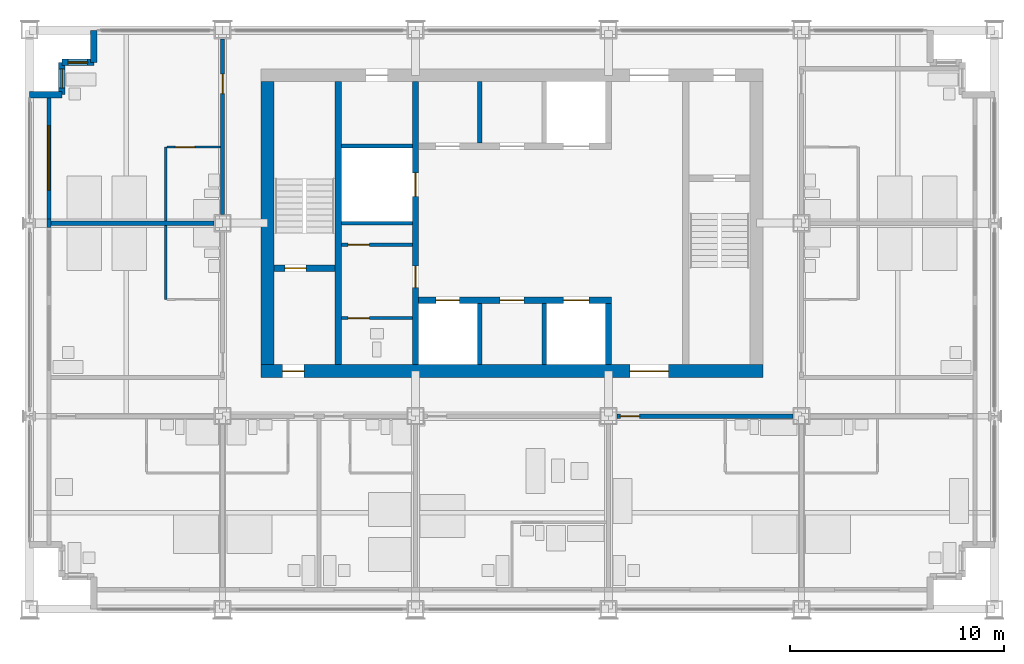
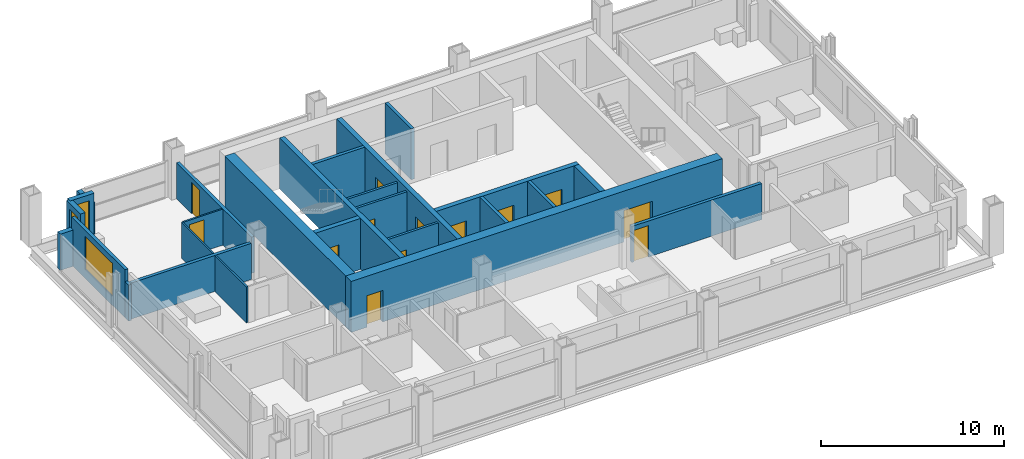
# One storey, part 8 of 13: 26 walls, 13 doors, 3 windows, 16 openings.
"""IFC4 building model written with IfcOpenShell, lengths in metres."""

from ifc_helpers import new_model, si_unit, direction, frame, frame_2d, origin, place, context, subcontext, project, spatial, rectangle, extrude, material, layer, layer_set, type_object, element, fill, save


model = new_model("IFC4")

# Units and contexts
model_context = context("Model", 3, precision=1e-05, world=origin(), true_north=direction((0.0, 1.0)))
body_context = subcontext(model_context, "Body", "Model", "MODEL_VIEW")
ifc_project = project(units=[si_unit("LENGTHUNIT", "METRE"), si_unit("AREAUNIT", "SQUARE_METRE"), si_unit("VOLUMEUNIT", "CUBIC_METRE"), si_unit("PLANEANGLEUNIT", "RADIAN"), si_unit("MASSUNIT", "GRAM", prefix="KILO")], contexts=[model_context])

# Site, building, storey
site_placement = place(None, origin())
site = spatial("IfcSite", under=ifc_project, at=site_placement, CompositionType="ELEMENT")
building_placement = place(site_placement, origin())
building = spatial("IfcBuilding", under=site, at=building_placement, Name="Loomwork Tower", CompositionType="ELEMENT")
storey_placement = place(building_placement, frame((0.0, 0.0, 191.0)))
storey = spatial("IfcBuildingStorey", under=building, at=storey_placement, Name="L52", CompositionType="ELEMENT", Elevation=191.0)

# Wall
ifc_material_1 = material(Name="Concrete 14000 psi (97 MPa)", Category="concrete")
ifc_layer_1 = layer(ifc_material_1, 0.300048828125)
ifc_layer_set_1 = layer_set([ifc_layer_1], Name="Core shear wall 300")
wall_type_1 = type_object("IfcWallType", Name="Core shear wall 300", PredefinedType="SHEAR", material=ifc_layer_set_1)
wall_1_placement = place(storey_placement, frame((14.39990234375, 11.39990234375, 0.0), z_axis=(0.0, 0.0, 1.0), x_axis=(0.0, 1.0, 0.0)))
element("IfcWall", 1, at=wall_1_placement, inside=storey, type_object=wall_type_1, Name="Stair A east wall L52", PredefinedType="SHEAR", context=body_context, shape_type="SweptSolid", body=[
    extrude(rectangle(XDim=13.2001953125, YDim=0.300048828125, at=frame_2d((6.60009765625, 0.0))), origin(), (0.0, 0.0, 1.0), 3.39990234375),
])

# Wall, opening, door
wall_2_placement = place(storey_placement, frame((11.39990234375, 15.89990234375, 0.0), z_axis=(0.0, 0.0, 1.0), x_axis=(1.0, 0.0, 0.0)))
wall_2 = element("IfcWall", 2, at=wall_2_placement, inside=storey, type_object=wall_type_1, Name="Stair A south wall L52", PredefinedType="SHEAR", context=body_context, shape_type="SweptSolid", body=[
    extrude(rectangle(XDim=2.85009765625, YDim=0.300048828125, at=frame_2d((1.425048828125, 0.0))), origin(), (0.0, 0.0, 1.0), 3.39990234375),
])
opening_1_placement = place(wall_2_placement, frame((0.5, 0.0, 0.0)))
opening_1 = element("IfcOpeningElement", 3, at=opening_1_placement, cuts=wall_2, Name="Opening D4", PredefinedType="OPENING", context=body_context, shape_type="SweptSolid", body=[
    extrude(rectangle(XDim=1.0, YDim=2.10009765625, at=frame_2d((0.5, 1.050048828125))), frame((0.0, 0.159912109375, 0.0), z_axis=(0.0, -1.0, 0.0), x_axis=(1.0, 0.0, 0.0)), (0.0, 0.0, 1.0), 0.320068359375),
])
ifc_material_2 = material(Name="Hollow metal door and frame")
door_type_1 = type_object("IfcDoorType", Name="Stair door 1000", OperationType="SINGLE_SWING_RIGHT", PredefinedType="DOOR", material=ifc_material_2)
door_1_placement = place(opening_1_placement, origin())
door_1 = element("IfcDoor", 4, at=door_1_placement, inside=storey, type_object=door_type_1, Name="Stair A door", OperationType="SINGLE_SWING_LEFT", OverallHeight=2.10009765625, OverallWidth=1.0, PredefinedType="DOOR", context=body_context, shape_type="SweptSolid", body=[
    extrude(rectangle(XDim=1.0, YDim=2.10009765625, at=frame_2d((0.5, 1.050048828125))), frame((0.0, 0.02490234375, 0.0), z_axis=(0.0, -1.0, 0.0), x_axis=(1.0, 0.0, 0.0)), (0.0, 0.0, 1.0), 0.050048828125),
])
fill(opening_1, door_1)

# Wall, openings, doors
wall_3_placement = place(storey_placement, frame((18.0, 11.39990234375, 0.0), z_axis=(0.0, 0.0, 1.0), x_axis=(0.0, 1.0, 0.0)))
wall_3 = element("IfcWall", 5, at=wall_3_placement, inside=storey, type_object=wall_type_1, Name="Lobby west wall L52", PredefinedType="SHEAR", context=body_context, shape_type="SweptSolid", body=[
    extrude(rectangle(XDim=13.2001953125, YDim=0.300048828125, at=frame_2d((6.60009765625, 0.0))), origin(), (0.0, 0.0, 1.0), 3.39990234375),
])
opening_2_placement = place(wall_3_placement, frame((3.60009765625, 0.0, 0.0)))
opening_2 = element("IfcOpeningElement", 6, at=opening_2_placement, cuts=wall_3, Name="Opening D5", PredefinedType="OPENING", context=body_context, shape_type="SweptSolid", body=[
    extrude(rectangle(XDim=1.0, YDim=2.10009765625, at=frame_2d((0.5, 1.050048828125))), frame((0.0, 0.159912109375, 0.0), z_axis=(0.0, -1.0, 0.0), x_axis=(1.0, 0.0, 0.0)), (0.0, 0.0, 1.0), 0.320068359375),
])
opening_3_placement = place(wall_3_placement, frame((7.85009765625, 0.0, 0.0)))
opening_3 = element("IfcOpeningElement", 7, at=opening_3_placement, cuts=wall_3, Name="Opening LD1", PredefinedType="OPENING", context=body_context, shape_type="SweptSolid", body=[
    extrude(rectangle(XDim=1.10009765625, YDim=2.10009765625, at=frame_2d((0.550048828125, 1.050048828125))), frame((0.0, 0.159912109375, 0.0), z_axis=(0.0, -1.0, 0.0), x_axis=(1.0, 0.0, 0.0)), (0.0, 0.0, 1.0), 0.320068359375),
])
ifc_material_3 = material(Name="Hollow metal door and frame")
door_type_2 = type_object("IfcDoorType", Name="Lift landing door 1100", OperationType="SLIDING_TO_LEFT", PredefinedType="DOOR", material=ifc_material_3)
door_2_placement = place(opening_3_placement, origin())
door_2 = element("IfcDoor", 8, at=door_2_placement, inside=storey, type_object=door_type_2, Name="Lift landing door LC2", OperationType="SLIDING_TO_LEFT", OverallHeight=2.10009765625, OverallWidth=1.10009765625, PredefinedType="DOOR", context=body_context, shape_type="SweptSolid", body=[
    extrude(rectangle(XDim=1.10009765625, YDim=2.10009765625, at=frame_2d((0.550048828125, 1.050048828125))), frame((0.0, 0.02490234375, 0.0), z_axis=(0.0, -1.0, 0.0), x_axis=(1.0, 0.0, 0.0)), (0.0, 0.0, 1.0), 0.050048828125),
])
fill(opening_3, door_2)
ifc_material_4 = material(Name="Hollow metal door and frame")
door_type_3 = type_object("IfcDoorType", Name="Service door 1000", OperationType="SINGLE_SWING_LEFT", PredefinedType="DOOR", material=ifc_material_4)
door_3_placement = place(opening_2_placement, origin())
door_3 = element("IfcDoor", 9, at=door_3_placement, inside=storey, type_object=door_type_3, Name="Back-of-house door south", OperationType="SINGLE_SWING_LEFT", OverallHeight=2.10009765625, OverallWidth=1.0, PredefinedType="DOOR", context=body_context, shape_type="SweptSolid", body=[
    extrude(rectangle(XDim=1.0, YDim=2.10009765625, at=frame_2d((0.5, 1.050048828125))), frame((0.0, 0.02490234375, 0.0), z_axis=(0.0, -1.0, 0.0), x_axis=(1.0, 0.0, 0.0)), (0.0, 0.0, 1.0), 0.050048828125),
])
fill(opening_2, door_3)

wall_4_placement = place(storey_placement, frame((18.14990234375, 14.39990234375, 0.0), z_axis=(0.0, 0.0, 1.0), x_axis=(1.0, 0.0, 0.0)))
wall_4 = element("IfcWall", 10, at=wall_4_placement, inside=storey, type_object=wall_type_1, Name="Lift front wall south L52", PredefinedType="SHEAR", context=body_context, shape_type="SweptSolid", body=[
    extrude(rectangle(XDim=9.0, YDim=0.300048828125, at=frame_2d((4.5, 0.0))), origin(), (0.0, 0.0, 1.0), 3.39990234375),
])
opening_4_placement = place(wall_4_placement, frame((0.800048828125, 0.0, 0.0)))
opening_4 = element("IfcOpeningElement", 11, at=opening_4_placement, cuts=wall_4, Name="Opening LD1", PredefinedType="OPENING", context=body_context, shape_type="SweptSolid", body=[
    extrude(rectangle(XDim=1.10009765625, YDim=2.10009765625, at=frame_2d((0.550048828125, 1.050048828125))), frame((0.0, 0.159912109375, 0.0), z_axis=(0.0, -1.0, 0.0), x_axis=(1.0, 0.0, 0.0)), (0.0, 0.0, 1.0), 0.320068359375),
])
opening_5_placement = place(wall_4_placement, frame((6.75, 0.0, 0.0)))
opening_5 = element("IfcOpeningElement", 12, at=opening_5_placement, cuts=wall_4, Name="Opening LD2", PredefinedType="OPENING", context=body_context, shape_type="SweptSolid", body=[
    extrude(rectangle(XDim=1.199951171875, YDim=2.10009765625, at=frame_2d((0.60009765625, 1.050048828125))), frame((0.0, 0.159912109375, 0.0), z_axis=(0.0, -1.0, 0.0), x_axis=(1.0, 0.0, 0.0)), (0.0, 0.0, 1.0), 0.320068359375),
])
opening_6_placement = place(wall_4_placement, frame((3.800048828125, 0.0, 0.0)))
opening_6 = element("IfcOpeningElement", 13, at=opening_6_placement, cuts=wall_4, Name="Opening D17", PredefinedType="OPENING", context=body_context, shape_type="SweptSolid", body=[
    extrude(rectangle(XDim=1.10009765625, YDim=2.10009765625, at=frame_2d((0.550048828125, 1.050048828125))), frame((0.0, 0.159912109375, 0.0), z_axis=(0.0, -1.0, 0.0), x_axis=(1.0, 0.0, 0.0)), (0.0, 0.0, 1.0), 0.320068359375),
])
door_4_placement = place(opening_4_placement, origin())
door_4 = element("IfcDoor", 14, at=door_4_placement, inside=storey, type_object=door_type_2, Name="Lift landing door LC1", OperationType="SLIDING_TO_LEFT", OverallHeight=2.10009765625, OverallWidth=1.10009765625, PredefinedType="DOOR", context=body_context, shape_type="SweptSolid", body=[
    extrude(rectangle(XDim=1.10009765625, YDim=2.10009765625, at=frame_2d((0.550048828125, 1.050048828125))), frame((0.0, 0.02490234375, 0.0), z_axis=(0.0, -1.0, 0.0), x_axis=(1.0, 0.0, 0.0)), (0.0, 0.0, 1.0), 0.050048828125),
])
fill(opening_4, door_4)
ifc_material_5 = material(Name="Hollow metal door and frame")
door_type_4 = type_object("IfcDoorType", Name="Lift landing door 1200", OperationType="SLIDING_TO_LEFT", PredefinedType="DOOR", material=ifc_material_5)
door_5_placement = place(opening_5_placement, origin())
door_5 = element("IfcDoor", 15, at=door_5_placement, inside=storey, type_object=door_type_4, Name="Lift landing door LF1", OperationType="SLIDING_TO_LEFT", OverallHeight=2.10009765625, OverallWidth=1.199951171875, PredefinedType="DOOR", context=body_context, shape_type="SweptSolid", body=[
    extrude(rectangle(XDim=1.199951171875, YDim=2.10009765625, at=frame_2d((0.60009765625, 1.050048828125))), frame((0.0, 0.02490234375, 0.0), z_axis=(0.0, -1.0, 0.0), x_axis=(1.0, 0.0, 0.0)), (0.0, 0.0, 1.0), 0.050048828125),
])
fill(opening_5, door_5)
ifc_material_6 = material(Name="Hollow metal door and frame")
door_type_5 = type_object("IfcDoorType", Name="Service room door 1100", OperationType="SINGLE_SWING_LEFT", PredefinedType="DOOR", material=ifc_material_6)
door_6_placement = place(opening_6_placement, frame((1.10009765625, 0.0, 0.0), z_axis=(0.0, 0.0, 1.0), x_axis=(-1.0, 0.0, 0.0)))
door_6 = element("IfcDoor", 16, at=door_6_placement, inside=storey, type_object=door_type_5, Name="Storage room door L52", OperationType="SINGLE_SWING_RIGHT", OverallHeight=2.10009765625, OverallWidth=1.10009765625, PredefinedType="DOOR", context=body_context, shape_type="SweptSolid", body=[
    extrude(rectangle(XDim=1.10009765625, YDim=2.10009765625, at=frame_2d((0.550048828125, 1.050048828125))), frame((0.0, 0.02490234375, 0.0), z_axis=(0.0, -1.0, 0.0), x_axis=(1.0, 0.0, 0.0)), (0.0, 0.0, 1.0), 0.050048828125),
])
fill(opening_6, door_6)

# Wall
wall_5_placement = place(storey_placement, frame((27.0, 11.39990234375, 0.0), z_axis=(0.0, 0.0, 1.0), x_axis=(0.0, 1.0, 0.0)))
element("IfcWall", 17, at=wall_5_placement, inside=storey, type_object=wall_type_1, Name="Lift shaft end wall south L52", PredefinedType="SHEAR", context=body_context, shape_type="SweptSolid", body=[
    extrude(rectangle(XDim=2.85009765625, YDim=0.300048828125, at=frame_2d((1.425048828125, 0.0))), origin(), (0.0, 0.0, 1.0), 3.39990234375),
])

# Wall, openings, doors
ifc_material_7 = material(Name="Concrete 14000 psi (97 MPa)", Category="concrete")
ifc_layer_2 = layer(ifc_material_7, 0.60009765625)
ifc_layer_set_2 = layer_set([ifc_layer_2], Name="Core shear wall 600")
wall_type_2 = type_object("IfcWallType", Name="Core shear wall 600", PredefinedType="SHEAR", material=ifc_layer_set_2)
wall_6_placement = place(storey_placement, frame((10.800048828125, 11.10009765625, 0.0), z_axis=(0.0, 0.0, 1.0), x_axis=(1.0, 0.0, 0.0)))
wall_6 = element("IfcWall", 18, at=wall_6_placement, inside=storey, type_object=wall_type_2, Name="Core wall south L52", PredefinedType="SHEAR", context=body_context, shape_type="SweptSolid", body=[
    extrude(rectangle(XDim=23.39990234375, YDim=0.60009765625, at=frame_2d((11.699951171875, 0.0))), origin(), (0.0, 0.0, 1.0), 3.39990234375),
])
opening_7_placement = place(wall_6_placement, frame((1.0, 0.0, 0.0)))
opening_7 = element("IfcOpeningElement", 19, at=opening_7_placement, cuts=wall_6, Name="Opening D4", PredefinedType="OPENING", context=body_context, shape_type="SweptSolid", body=[
    extrude(rectangle(XDim=1.0, YDim=2.10009765625, at=frame_2d((0.5, 1.050048828125))), frame((0.0, 0.31005859375, 0.0), z_axis=(0.0, -1.0, 0.0), x_axis=(1.0, 0.0, 0.0)), (0.0, 0.0, 1.0), 0.6201171875),
])
opening_8_placement = place(wall_6_placement, frame((17.199951171875, 0.0, 0.0)))
opening_8 = element("IfcOpeningElement", 20, at=opening_8_placement, cuts=wall_6, Name="Opening D6", PredefinedType="OPENING", context=body_context, shape_type="SweptSolid", body=[
    extrude(rectangle(XDim=1.800048828125, YDim=2.10009765625, at=frame_2d((0.89990234375, 1.050048828125))), frame((0.0, 0.31005859375, 0.0), z_axis=(0.0, -1.0, 0.0), x_axis=(1.0, 0.0, 0.0)), (0.0, 0.0, 1.0), 0.6201171875),
])
ifc_material_8 = material(Name="Hollow metal door and frame")
door_type_6 = type_object("IfcDoorType", Name="Lobby passage double door 1800", OperationType="DOUBLE_DOOR_SINGLE_SWING", PredefinedType="DOOR", material=ifc_material_8)
door_7_placement = place(opening_8_placement, origin())
door_7 = element("IfcDoor", 21, at=door_7_placement, inside=storey, type_object=door_type_6, Name="Lobby passage door south", OperationType="DOUBLE_DOOR_SINGLE_SWING", OverallHeight=2.10009765625, OverallWidth=1.800048828125, PredefinedType="DOOR", context=body_context, shape_type="SweptSolid", body=[
    extrude(rectangle(XDim=1.800048828125, YDim=2.10009765625, at=frame_2d((0.89990234375, 1.050048828125))), frame((0.0, 0.02490234375, 0.0), z_axis=(0.0, -1.0, 0.0), x_axis=(1.0, 0.0, 0.0)), (0.0, 0.0, 1.0), 0.050048828125),
])
fill(opening_8, door_7)
door_8_placement = place(opening_7_placement, origin())
door_8 = element("IfcDoor", 22, at=door_8_placement, inside=storey, type_object=door_type_1, Name="Stair A vestibule door", OperationType="SINGLE_SWING_LEFT", OverallHeight=2.10009765625, OverallWidth=1.0, PredefinedType="DOOR", context=body_context, shape_type="SweptSolid", body=[
    extrude(rectangle(XDim=1.0, YDim=2.10009765625, at=frame_2d((0.5, 1.050048828125))), frame((0.0, 0.02490234375, 0.0), z_axis=(0.0, -1.0, 0.0), x_axis=(1.0, 0.0, 0.0)), (0.0, 0.0, 1.0), 0.050048828125),
])
fill(opening_7, door_8)

# Wall
wall_7_placement = place(storey_placement, frame((11.10009765625, 11.39990234375, 0.0), z_axis=(0.0, 0.0, 1.0), x_axis=(0.0, 1.0, 0.0)))
element("IfcWall", 23, at=wall_7_placement, inside=storey, type_object=wall_type_2, Name="Core wall west L52", PredefinedType="SHEAR", context=body_context, shape_type="SweptSolid", body=[
    extrude(rectangle(XDim=13.2001953125, YDim=0.60009765625, at=frame_2d((6.60009765625, 0.0))), origin(), (0.0, 0.0, 1.0), 3.39990234375),
])

# Wall, opening, door
ifc_material_9 = material(Name="Gypsum board on steel studs, one-hour", Category="steel")
ifc_layer_3 = layer(ifc_material_9, 0.199951171875)
ifc_layer_set_3 = layer_set([ifc_layer_3], Name="Corridor wall 200")
wall_type_3 = type_object("IfcWallType", Name="Corridor wall 200", PredefinedType="PARTITIONING", material=ifc_layer_set_3)
wall_8_placement = place(storey_placement, frame((27.39990234375, 9.0, 0.0), z_axis=(0.0, 0.0, 1.0), x_axis=(1.0, 0.0, 0.0)))
wall_8 = element("IfcWall", 24, at=wall_8_placement, inside=storey, type_object=wall_type_3, Name="South corridor wall 4", PredefinedType="PARTITIONING", context=body_context, shape_type="SweptSolid", body=[
    extrude(rectangle(XDim=8.2001953125, YDim=0.199951171875, at=frame_2d((4.10009765625, 0.0))), origin(), (0.0, 0.0, 1.0), 2.405029296875),
])
opening_9_placement = place(wall_8_placement, frame((0.14990234375, 0.0, 0.0)))
opening_9 = element("IfcOpeningElement", 25, at=opening_9_placement, cuts=wall_8, Name="Opening D1", PredefinedType="OPENING", context=body_context, shape_type="SweptSolid", body=[
    extrude(rectangle(XDim=0.89990234375, YDim=2.10009765625, at=frame_2d((0.449951171875, 1.050048828125))), frame((0.0, 0.10986328125, 0.0), z_axis=(0.0, -1.0, 0.0), x_axis=(1.0, 0.0, 0.0)), (0.0, 0.0, 1.0), 0.219970703125),
])
ifc_material_10 = material(Name="Hollow metal door and frame")
door_type_7 = type_object("IfcDoorType", Name="Guest room entry door 900", OperationType="SINGLE_SWING_LEFT", PredefinedType="DOOR", material=ifc_material_10)
door_9_placement = place(opening_9_placement, frame((0.89990234375, 0.0, 0.0), z_axis=(0.0, 0.0, 1.0), x_axis=(-1.0, 0.0, 0.0)))
door_9 = element("IfcDoor", 26, at=door_9_placement, inside=storey, type_object=door_type_7, Name="Guest room entry door L52 5", OperationType="SINGLE_SWING_RIGHT", OverallHeight=2.10009765625, OverallWidth=0.89990234375, PredefinedType="DOOR", context=body_context, shape_type="SweptSolid", body=[
    extrude(rectangle(XDim=0.89990234375, YDim=2.10009765625, at=frame_2d((0.449951171875, 1.050048828125))), frame((0.0, 0.02490234375, 0.0), z_axis=(0.0, -1.0, 0.0), x_axis=(1.0, 0.0, 0.0)), (0.0, 0.0, 1.0), 0.050048828125),
])
fill(opening_9, door_9)

wall_9_placement = place(storey_placement, frame((9.0, 18.39990234375, 0.0), z_axis=(0.0, 0.0, 1.0), x_axis=(0.0, 1.0, 0.0)))
wall_9 = element("IfcWall", 27, at=wall_9_placement, inside=storey, type_object=wall_type_3, Name="West corridor wall 2", PredefinedType="PARTITIONING", context=body_context, shape_type="SweptSolid", body=[
    extrude(rectangle(XDim=8.2001953125, YDim=0.199951171875, at=frame_2d((4.10009765625, 0.0))), origin(), (0.0, 0.0, 1.0), 2.405029296875),
])
opening_10_placement = place(wall_9_placement, frame((5.64990234375, 0.0, 0.0)))
opening_10 = element("IfcOpeningElement", 28, at=opening_10_placement, cuts=wall_9, Name="Opening D1", PredefinedType="OPENING", context=body_context, shape_type="SweptSolid", body=[
    extrude(rectangle(XDim=0.89990234375, YDim=2.10009765625, at=frame_2d((0.449951171875, 1.050048828125))), frame((0.0, 0.10986328125, 0.0), z_axis=(0.0, -1.0, 0.0), x_axis=(1.0, 0.0, 0.0)), (0.0, 0.0, 1.0), 0.219970703125),
])
door_10_placement = place(opening_10_placement, origin())
door_10 = element("IfcDoor", 29, at=door_10_placement, inside=storey, type_object=door_type_7, Name="Guest room entry door L52 8", OperationType="SINGLE_SWING_RIGHT", OverallHeight=2.10009765625, OverallWidth=0.89990234375, PredefinedType="DOOR", context=body_context, shape_type="SweptSolid", body=[
    extrude(rectangle(XDim=0.89990234375, YDim=2.10009765625, at=frame_2d((0.449951171875, 1.050048828125))), frame((0.0, 0.02490234375, 0.0), z_axis=(0.0, -1.0, 0.0), x_axis=(1.0, 0.0, 0.0)), (0.0, 0.0, 1.0), 0.050048828125),
])
fill(opening_10, door_10)

# Walls
ifc_material_11 = material(Name="Cement board on steel studs", Category="steel")
ifc_layer_4 = layer(ifc_material_11, 0.10009765625)
ifc_layer_set_4 = layer_set([ifc_layer_4], Name="En-suite partition 100")
wall_type_4 = type_object("IfcWallType", Name="En-suite partition 100", PredefinedType="PARTITIONING", material=ifc_layer_set_4)
for number, where, z_axis, x_axis, name in (
    (30, (6.35009765625, 14.449951171875, 0.0), (0.0, 0.0, 1.0), (0.0, 1.0, 0.0), "En-suite wall L52 room 7"),
    (31, (6.35009765625, 18.10009765625, 0.0), (0.0, 0.0, 1.0), (0.0, 1.0, 0.0), "En-suite wall L52 room 8"),
):
    element("IfcWall", number, at=place(storey_placement, frame(where, z_axis=z_axis, x_axis=x_axis)), inside=storey, type_object=wall_type_4, Name=name, PredefinedType="PARTITIONING", context=body_context, shape_type="SweptSolid", body=[
        extrude(rectangle(XDim=3.449951171875, YDim=0.10009765625, at=frame_2d((1.72509765625, 0.0))), origin(), (0.0, 0.0, 1.0), 2.404052734375),
    ])

# Wall, opening, door
wall_10_placement = place(storey_placement, frame((8.89990234375, 21.550048828125, 0.0), z_axis=(0.0, 0.0, 1.0), x_axis=(-1.0, 0.0, 0.0)))
wall_10 = element("IfcWall", 32, at=wall_10_placement, inside=storey, type_object=wall_type_4, Name="En-suite side wall L52 room 8", PredefinedType="PARTITIONING", context=body_context, shape_type="SweptSolid", body=[
    extrude(rectangle(XDim=2.5, YDim=0.10009765625, at=frame_2d((1.25, 0.0))), origin(), (0.0, 0.0, 1.0), 2.404052734375),
])
opening_11_placement = place(wall_10_placement, frame((1.199951171875, 0.0, 0.0)))
opening_11 = element("IfcOpeningElement", 33, at=opening_11_placement, cuts=wall_10, Name="Opening D2", PredefinedType="OPENING", context=body_context, shape_type="SweptSolid", body=[
    extrude(rectangle(XDim=0.89990234375, YDim=2.10009765625, at=frame_2d((0.449951171875, 1.050048828125))), frame((0.0, 0.06005859375, 0.0), z_axis=(0.0, -1.0, 0.0), x_axis=(1.0, 0.0, 0.0)), (0.0, 0.0, 1.0), 0.1201171875),
])
ifc_material_12 = material(Name="Hollow metal door and frame")
door_type_8 = type_object("IfcDoorType", Name="En-suite door 900", OperationType="SINGLE_SWING_LEFT", PredefinedType="DOOR", material=ifc_material_12)
door_11_placement = place(opening_11_placement, origin())
door_11 = element("IfcDoor", 34, at=door_11_placement, inside=storey, type_object=door_type_8, Name="En-suite door room 8", OperationType="SINGLE_SWING_RIGHT", OverallHeight=2.10009765625, OverallWidth=0.89990234375, PredefinedType="DOOR", context=body_context, shape_type="SweptSolid", body=[
    extrude(rectangle(XDim=0.89990234375, YDim=2.10009765625, at=frame_2d((0.449951171875, 1.050048828125))), frame((0.0, 0.02490234375, 0.0), z_axis=(0.0, -1.0, 0.0), x_axis=(1.0, 0.0, 0.0)), (0.0, 0.0, 1.0), 0.050048828125),
])
fill(opening_11, door_11)

# Walls
ifc_material_13 = material(Name="Gypsum board on steel studs, acoustic", Category="steel")
ifc_layer_5 = layer(ifc_material_13, 0.199951171875)
ifc_layer_set_5 = layer_set([ifc_layer_5], Name="Guest room party wall 200")
wall_type_5 = type_object("IfcWallType", Name="Guest room party wall 200", PredefinedType="PARTITIONING", material=ifc_layer_set_5)
wall_11_placement = place(storey_placement, frame((8.60009765625, 18.0, 0.0), z_axis=(0.0, 0.0, 1.0), x_axis=(-1.0, 0.0, 0.0)))
element("IfcWall", 35, at=wall_11_placement, inside=storey, type_object=wall_type_5, Name="Guest room party wall W 18", PredefinedType="PARTITIONING", context=body_context, shape_type="SweptSolid", body=[
    extrude(rectangle(XDim=7.60009765625, YDim=0.199951171875, at=frame_2d((3.800048828125, 0.0))), origin(), (0.0, 0.0, 1.0), 2.405029296875),
])
ifc_material_14 = material(Name="Insulated steel stud wall with gypsum lining", Category="steel")
ifc_layer_6 = layer(ifc_material_14, 0.199951171875)
ifc_layer_set_6 = layer_set([ifc_layer_6], Name="Inner skin wall 200")
wall_type_6 = type_object("IfcWallType", Name="Inner skin wall 200", PredefinedType="SOLIDWALL", material=ifc_layer_set_6)
wall_12_placement = place(storey_placement, frame((0.89990234375, 17.80615234375, 0.0), z_axis=(0.0, 0.0, 1.0), x_axis=(0.0, 1.0, 0.0)))
element("IfcWall", 36, at=wall_12_placement, inside=storey, type_object=wall_type_6, Name="Inner skin wall W bay 6", PredefinedType="SOLIDWALL", context=body_context, shape_type="SweptSolid", body=[
    extrude(rectangle(XDim=0.3876953125, YDim=0.199951171875, at=frame_2d((0.19384765625, 0.0))), origin(), (0.0, 0.0, 1.0), 2.404052734375),
])

# Wall, opening, window
wall_13_placement = place(storey_placement, frame((0.89990234375, 18.19384765625, 0.0), z_axis=(0.0, 0.0, 1.0), x_axis=(0.0, 1.0, 0.0)))
wall_13 = element("IfcWall", 37, at=wall_13_placement, inside=storey, type_object=wall_type_6, Name="Inner skin wall W bay 7", PredefinedType="SOLIDWALL", context=body_context, shape_type="SweptSolid", body=[
    extrude(rectangle(XDim=5.80615234375, YDim=0.199951171875, at=frame_2d((2.903076171875, 0.0))), origin(), (0.0, 0.0, 1.0), 3.199951171875),
])
opening_12_placement = place(wall_13_placement, frame((1.356201171875, 0.0, 0.60009765625)))
opening_12 = element("IfcOpeningElement", 38, at=opening_12_placement, cuts=wall_13, Name="Opening CH1", PredefinedType="OPENING", context=body_context, shape_type="SweptSolid", body=[
    extrude(rectangle(XDim=3.0, YDim=2.199951171875, at=frame_2d((1.5, 1.10009765625))), frame((0.0, 0.10986328125, 0.0), z_axis=(0.0, -1.0, 0.0), x_axis=(1.0, 0.0, 0.0)), (0.0, 0.0, 1.0), 0.219970703125),
])
ifc_material_15 = material(Name="Aluminium frame with clear insulated glass", Category="aluminium")
window_type_1 = type_object("IfcWindowType", Name="Chicago window 3000", PartitioningType="TRIPLE_PANEL_VERTICAL", PredefinedType="WINDOW", material=ifc_material_15)
window_1_placement = place(opening_12_placement, origin())
window_1 = element("IfcWindow", 39, at=window_1_placement, inside=storey, type_object=window_type_1, Name="Chicago window L52 bay 7", OverallHeight=2.199951171875, OverallWidth=3.0, PartitioningType="TRIPLE_PANEL_VERTICAL", PredefinedType="WINDOW", context=body_context, shape_type="SweptSolid", body=[
    extrude(rectangle(XDim=3.0, YDim=2.199951171875, at=frame_2d((1.5, 1.10009765625))), frame((0.0, 0.030029296875, 0.0), z_axis=(0.0, -1.0, 0.0), x_axis=(1.0, 0.0, 0.0)), (0.0, 0.0, 1.0), 0.06005859375),
])
fill(opening_12, window_1)

# Walls
ifc_material_16 = material(Name="Concrete 14000 psi (97 MPa)", Category="concrete")
ifc_layer_7 = layer(ifc_material_16, 0.199951171875)
ifc_layer_set_7 = layer_set([ifc_layer_7], Name="Lift shaft wall 200")
wall_type_7 = type_object("IfcWallType", Name="Lift shaft wall 200", PredefinedType="SHEAR", material=ifc_layer_set_7)
for number, where, z_axis, x_axis, name in (
    (40, (21.0, 11.39990234375, 0.0), (0.0, 0.0, 1.0), (0.0, 1.0, 0.0), "Lift shaft separation wall south 1 L52"),
    (41, (24.0, 11.39990234375, 0.0), (0.0, 0.0, 1.0), (0.0, 1.0, 0.0), "Lift shaft separation wall south 2 L52"),
    (42, (21.0, 21.75, 0.0), (0.0, 0.0, 1.0), (0.0, 1.0, 0.0), "Lift shaft separation wall north 1 L52"),
):
    element("IfcWall", number, at=place(storey_placement, frame(where, z_axis=z_axis, x_axis=x_axis)), inside=storey, type_object=wall_type_7, Name=name, PredefinedType="SHEAR", context=body_context, shape_type="SweptSolid", body=[
        extrude(rectangle(XDim=2.85009765625, YDim=0.199951171875, at=frame_2d((1.425048828125, 0.0))), origin(), (0.0, 0.0, 1.0), 3.39990234375),
    ])
wall_14_placement = place(storey_placement, frame((14.550048828125, 21.60009765625, 0.0), z_axis=(0.0, 0.0, 1.0), x_axis=(1.0, 0.0, 0.0)))
element("IfcWall", 43, at=wall_14_placement, inside=storey, type_object=wall_type_7, Name="Lift shaft wall west north L52", PredefinedType="SHEAR", context=body_context, shape_type="SweptSolid", body=[
    extrude(rectangle(XDim=3.300048828125, YDim=0.199951171875, at=frame_2d((1.64990234375, 0.0))), origin(), (0.0, 0.0, 1.0), 3.39990234375),
])
ifc_material_17 = material(Name="Limestone on concrete masonry", Category="masonry")
ifc_layer_8 = layer(ifc_material_17, 0.300048828125)
ifc_layer_set_8 = layer_set([ifc_layer_8], Name="Limestone corner wall 300")
wall_type_8 = type_object("IfcWallType", Name="Limestone corner wall 300", PredefinedType="SOLIDWALL", material=ifc_layer_set_8)
wall_15_placement = place(storey_placement, frame((3.0, 27.0, 0.0), z_axis=(0.0, 0.0, 1.0), x_axis=(0.0, -1.0, 0.0)))
element("IfcWall", 44, at=wall_15_placement, inside=storey, type_object=wall_type_8, Name="Stone corner wall NW 1", PredefinedType="SOLIDWALL", context=body_context, shape_type="SweptSolid", body=[
    extrude(rectangle(XDim=1.5, YDim=0.300048828125, at=frame_2d((0.75, 0.0))), origin(), (0.0, 0.0, 1.0), 2.419921875),
])

# Wall, opening, window
wall_16_placement = place(storey_placement, frame((3.0, 25.5, 0.0), z_axis=(0.0, 0.0, 1.0), x_axis=(-1.0, 0.0, 0.0)))
wall_16 = element("IfcWall", 45, at=wall_16_placement, inside=storey, type_object=wall_type_8, Name="Stone corner wall NW 2", PredefinedType="SOLIDWALL", context=body_context, shape_type="SweptSolid", body=[
    extrude(rectangle(XDim=1.5, YDim=0.300048828125, at=frame_2d((0.75, 0.0))), origin(), (0.0, 0.0, 1.0), 3.199951171875),
])
opening_13_placement = place(wall_16_placement, frame((0.300048828125, 0.0, 0.60009765625)))
opening_13 = element("IfcOpeningElement", 46, at=opening_13_placement, cuts=wall_16, Name="Opening CH2", PredefinedType="OPENING", context=body_context, shape_type="SweptSolid", body=[
    extrude(rectangle(XDim=0.89990234375, YDim=2.199951171875, at=frame_2d((0.449951171875, 1.10009765625))), frame((0.0, 0.159912109375, 0.0), z_axis=(0.0, -1.0, 0.0), x_axis=(1.0, 0.0, 0.0)), (0.0, 0.0, 1.0), 0.320068359375),
])
ifc_material_18 = material(Name="Aluminium frame with clear insulated glass", Category="aluminium")
window_type_2 = type_object("IfcWindowType", Name="Corner window 900", PartitioningType="SINGLE_PANEL", PredefinedType="WINDOW", material=ifc_material_18)
window_2_placement = place(opening_13_placement, origin())
window_2 = element("IfcWindow", 47, at=window_2_placement, inside=storey, type_object=window_type_2, Name="Corner window NW", OverallHeight=2.199951171875, OverallWidth=0.89990234375, PartitioningType="SINGLE_PANEL", PredefinedType="WINDOW", context=body_context, shape_type="SweptSolid", body=[
    extrude(rectangle(XDim=0.89990234375, YDim=2.199951171875, at=frame_2d((0.449951171875, 1.10009765625))), frame((0.0, 0.030029296875, 0.0), z_axis=(0.0, -1.0, 0.0), x_axis=(1.0, 0.0, 0.0)), (0.0, 0.0, 1.0), 0.06005859375),
])
fill(opening_13, window_2)

wall_17_placement = place(storey_placement, frame((1.5, 25.5, 0.0), z_axis=(0.0, 0.0, 1.0), x_axis=(0.0, -1.0, 0.0)))
wall_17 = element("IfcWall", 48, at=wall_17_placement, inside=storey, type_object=wall_type_8, Name="Stone corner wall NW 3", PredefinedType="SOLIDWALL", context=body_context, shape_type="SweptSolid", body=[
    extrude(rectangle(XDim=1.5, YDim=0.300048828125, at=frame_2d((0.75, 0.0))), origin(), (0.0, 0.0, 1.0), 3.199951171875),
])
opening_14_placement = place(wall_17_placement, frame((0.300048828125, 0.0, 0.60009765625)))
opening_14 = element("IfcOpeningElement", 49, at=opening_14_placement, cuts=wall_17, Name="Opening CH2", PredefinedType="OPENING", context=body_context, shape_type="SweptSolid", body=[
    extrude(rectangle(XDim=0.89990234375, YDim=2.199951171875, at=frame_2d((0.449951171875, 1.10009765625))), frame((0.0, 0.159912109375, 0.0), z_axis=(0.0, -1.0, 0.0), x_axis=(1.0, 0.0, 0.0)), (0.0, 0.0, 1.0), 0.320068359375),
])
window_3_placement = place(opening_14_placement, origin())
window_3 = element("IfcWindow", 50, at=window_3_placement, inside=storey, type_object=window_type_2, Name="Corner window NW", OverallHeight=2.199951171875, OverallWidth=0.89990234375, PartitioningType="SINGLE_PANEL", PredefinedType="WINDOW", context=body_context, shape_type="SweptSolid", body=[
    extrude(rectangle(XDim=0.89990234375, YDim=2.199951171875, at=frame_2d((0.449951171875, 1.10009765625))), frame((0.0, 0.030029296875, 0.0), z_axis=(0.0, -1.0, 0.0), x_axis=(1.0, 0.0, 0.0)), (0.0, 0.0, 1.0), 0.06005859375),
])
fill(opening_14, window_3)

# Walls
wall_18_placement = place(storey_placement, frame((1.5, 24.0, 0.0), z_axis=(0.0, 0.0, 1.0), x_axis=(-1.0, 0.0, 0.0)))
element("IfcWall", 51, at=wall_18_placement, inside=storey, type_object=wall_type_8, Name="Stone corner wall NW 4", PredefinedType="SOLIDWALL", context=body_context, shape_type="SweptSolid", body=[
    extrude(rectangle(XDim=1.5, YDim=0.300048828125, at=frame_2d((0.75, 0.0))), origin(), (0.0, 0.0, 1.0), 2.419921875),
])
ifc_material_19 = material(Name="Gypsum board on steel studs", Category="steel")
ifc_layer_9 = layer(ifc_material_19, 0.14990234375)
ifc_layer_set_9 = layer_set([ifc_layer_9], Name="Partition 150 two-hour")
wall_type_9 = type_object("IfcWallType", Name="Partition 150 two-hour", PredefinedType="PARTITIONING", material=ifc_layer_set_9)
wall_19_placement = place(storey_placement, frame((14.550048828125, 18.0, 0.0), z_axis=(0.0, 0.0, 1.0), x_axis=(1.0, 0.0, 0.0)))
element("IfcWall", 52, at=wall_19_placement, inside=storey, type_object=wall_type_9, Name="Back-of-house dividing wall L52", PredefinedType="PARTITIONING", context=body_context, shape_type="SweptSolid", body=[
    extrude(rectangle(XDim=3.300048828125, YDim=0.14990234375, at=frame_2d((1.64990234375, 0.0))), origin(), (0.0, 0.0, 1.0), 3.199951171875),
])

# Wall, opening, door
ifc_material_20 = material(Name="Gypsum board on steel studs, one-hour", Category="steel")
ifc_layer_10 = layer(ifc_material_20, 0.14990234375)
ifc_layer_set_10 = layer_set([ifc_layer_10], Name="Service partition 150")
wall_type_10 = type_object("IfcWallType", Name="Service partition 150", PredefinedType="PARTITIONING", material=ifc_layer_set_10)
wall_20_placement = place(storey_placement, frame((14.550048828125, 17.0, 0.0), z_axis=(0.0, 0.0, 1.0), x_axis=(1.0, 0.0, 0.0)))
wall_20 = element("IfcWall", 53, at=wall_20_placement, inside=storey, type_object=wall_type_10, Name="Riser enclosure L52", PredefinedType="PARTITIONING", context=body_context, shape_type="SweptSolid", body=[
    extrude(rectangle(XDim=3.300048828125, YDim=0.14990234375, at=frame_2d((1.64990234375, 0.0))), origin(), (0.0, 0.0, 1.0), 3.199951171875),
])
opening_15_placement = place(wall_20_placement, frame((0.300048828125, 0.0, 0.0)))
opening_15 = element("IfcOpeningElement", 54, at=opening_15_placement, cuts=wall_20, Name="Opening D18", PredefinedType="OPENING", context=body_context, shape_type="SweptSolid", body=[
    extrude(rectangle(XDim=1.0, YDim=2.10009765625, at=frame_2d((0.5, 1.050048828125))), frame((0.0, 0.0849609375, 0.0), z_axis=(0.0, -1.0, 0.0), x_axis=(1.0, 0.0, 0.0)), (0.0, 0.0, 1.0), 0.169921875),
])
ifc_material_21 = material(Name="Hollow metal door and frame")
door_type_9 = type_object("IfcDoorType", Name="Ninety-minute service door 1000", OperationType="SINGLE_SWING_LEFT", PredefinedType="DOOR", material=ifc_material_21)
door_12_placement = place(opening_15_placement, frame((1.0, 0.0, 0.0), z_axis=(0.0, 0.0, 1.0), x_axis=(-1.0, 0.0, 0.0)))
door_12 = element("IfcDoor", 55, at=door_12_placement, inside=storey, type_object=door_type_9, Name="Riser access door", OperationType="SINGLE_SWING_RIGHT", OverallHeight=2.10009765625, OverallWidth=1.0, PredefinedType="DOOR", context=body_context, shape_type="SweptSolid", body=[
    extrude(rectangle(XDim=1.0, YDim=2.10009765625, at=frame_2d((0.5, 1.050048828125))), frame((0.0, 0.02490234375, 0.0), z_axis=(0.0, -1.0, 0.0), x_axis=(1.0, 0.0, 0.0)), (0.0, 0.0, 1.0), 0.050048828125),
])
fill(opening_15, door_12)

wall_21_placement = place(storey_placement, frame((14.550048828125, 13.574951171875, 0.0), z_axis=(0.0, 0.0, 1.0), x_axis=(1.0, 0.0, 0.0)))
wall_21 = element("IfcWall", 56, at=wall_21_placement, inside=storey, type_object=wall_type_10, Name="Back-of-house partition L52", PredefinedType="PARTITIONING", context=body_context, shape_type="SweptSolid", body=[
    extrude(rectangle(XDim=3.300048828125, YDim=0.14990234375, at=frame_2d((1.64990234375, 0.0))), origin(), (0.0, 0.0, 1.0), 3.199951171875),
])
opening_16_placement = place(wall_21_placement, frame((0.300048828125, 0.0, 0.0)))
opening_16 = element("IfcOpeningElement", 57, at=opening_16_placement, cuts=wall_21, Name="Opening D5", PredefinedType="OPENING", context=body_context, shape_type="SweptSolid", body=[
    extrude(rectangle(XDim=1.0, YDim=2.10009765625, at=frame_2d((0.5, 1.050048828125))), frame((0.0, 0.0849609375, 0.0), z_axis=(0.0, -1.0, 0.0), x_axis=(1.0, 0.0, 0.0)), (0.0, 0.0, 1.0), 0.169921875),
])
door_13_placement = place(opening_16_placement, frame((1.0, 0.0, 0.0), z_axis=(0.0, 0.0, 1.0), x_axis=(-1.0, 0.0, 0.0)))
door_13 = element("IfcDoor", 58, at=door_13_placement, inside=storey, type_object=door_type_3, Name="Back-of-house room door", OperationType="SINGLE_SWING_RIGHT", OverallHeight=2.10009765625, OverallWidth=1.0, PredefinedType="DOOR", context=body_context, shape_type="SweptSolid", body=[
    extrude(rectangle(XDim=1.0, YDim=2.10009765625, at=frame_2d((0.5, 1.050048828125))), frame((0.0, 0.02490234375, 0.0), z_axis=(0.0, -1.0, 0.0), x_axis=(1.0, 0.0, 0.0)), (0.0, 0.0, 1.0), 0.050048828125),
])
fill(opening_16, door_13)

save(model, "model.ifc")
